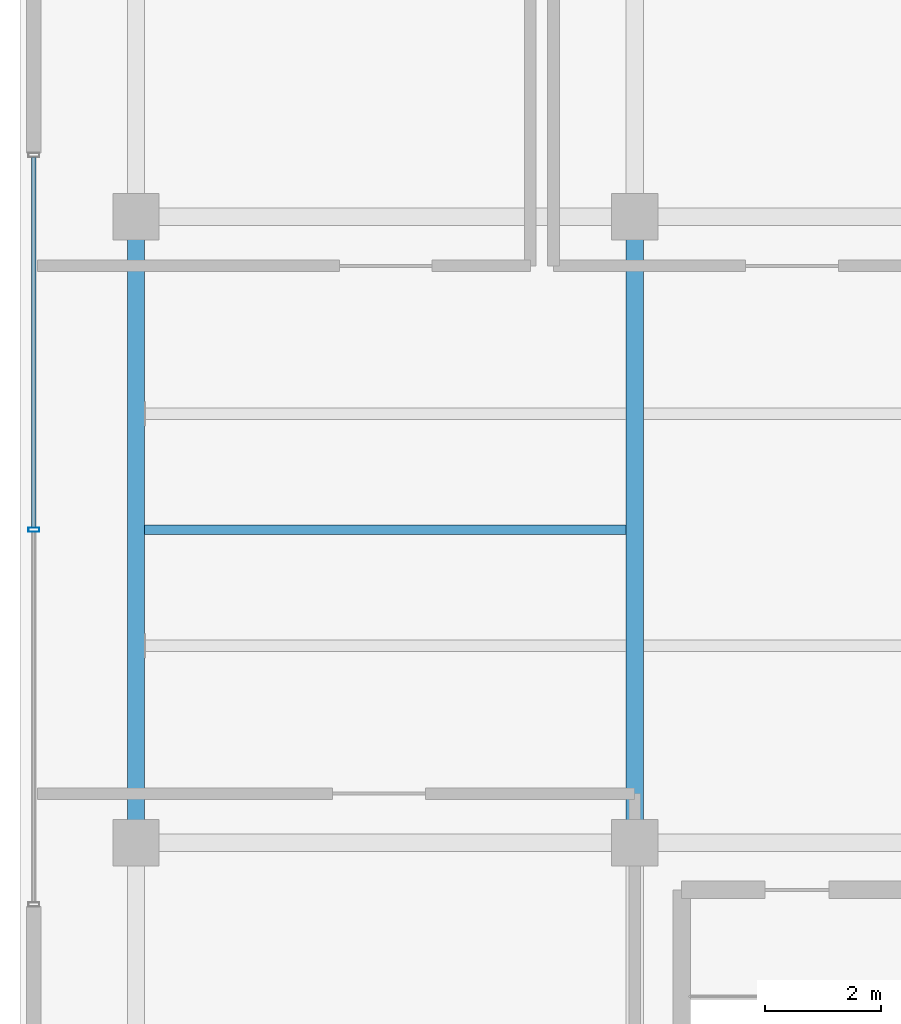
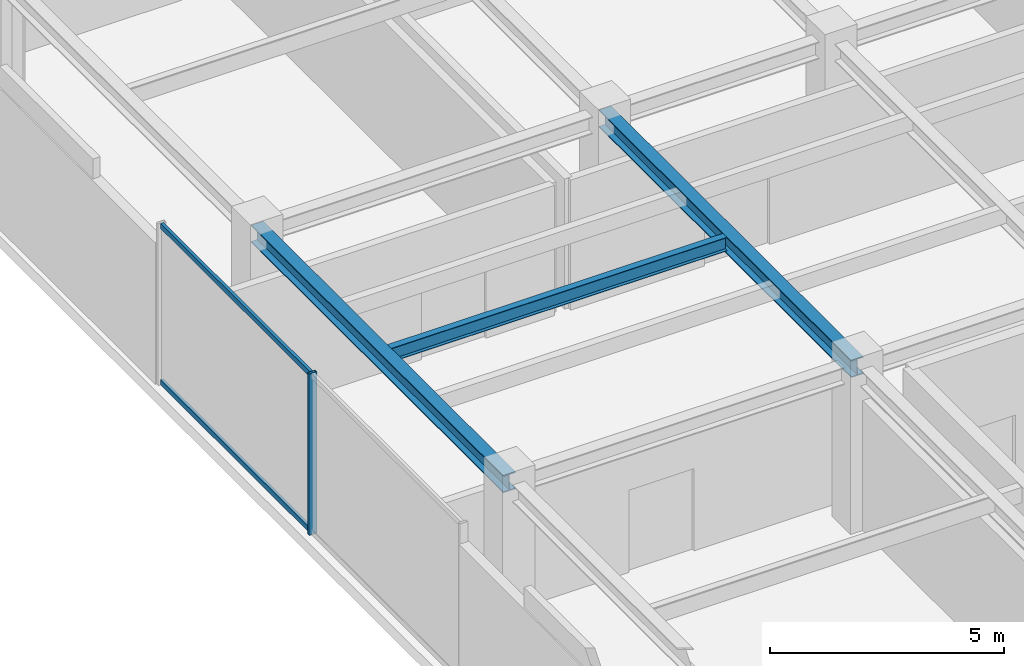
# One storey, part 8 of 21: 3 beams, 3 members, 1 element without a shape of its own.
"""IFC4 building model written with IfcOpenShell, lengths in metres."""

from ifc_helpers import new_model, si_unit, direction, frame, origin, origin_2d, place, context, subcontext, project, spatial, hollow_rectangle, i_section, extrude, source, transform, mapped, material, material_profile, profile_set, type_object, element, aggregate, save


model = new_model("IFC4")

# Units and contexts
model_context = context("Model", 3, precision=1e-05, world=origin(), true_north=direction((0.0, 1.0)))
body_context = subcontext(model_context, "Body", "Model", "MODEL_VIEW")
ifc_project = project(units=[si_unit("LENGTHUNIT", "METRE"), si_unit("AREAUNIT", "SQUARE_METRE"), si_unit("VOLUMEUNIT", "CUBIC_METRE"), si_unit("PLANEANGLEUNIT", "RADIAN"), si_unit("MASSUNIT", "GRAM", prefix="KILO")], contexts=[model_context])

# Site, building, storey
site_placement = place(None, origin())
site = spatial("IfcSite", under=ifc_project, at=site_placement, CompositionType="ELEMENT")
building_placement = place(site_placement, origin())
building = spatial("IfcBuilding", under=site, at=building_placement, Name="Nahalor Promenade Grand Hotel", CompositionType="ELEMENT")
storey_placement = place(building_placement, frame((0.0, 0.0, 370.85009765625)))
storey = spatial("IfcBuildingStorey", under=building, at=storey_placement, Name="L94", CompositionType="ELEMENT", Elevation=370.85009765625)

# Beams
ifc_material_1 = material(Name="Steel S355JR", Category="steel")
ifc_material_profile_1 = material_profile(ifc_material_1, i_section(OverallWidth=0.3, OverallDepth=0.45, WebThickness=0.014, FlangeThickness=0.026, at=origin_2d()), Name="HEB 450")
ifc_profile_set_1 = profile_set([ifc_material_profile_1], Name="Steel S355JR")
beam_type_1 = type_object("IfcBeamType", Name="Beam-Girder-HEB450", PredefinedType="BEAM", material=ifc_profile_set_1)
shared_shape_1 = source(origin(), body_context, "Body", "SweptSolid", [
    extrude(i_section(OverallWidth=0.3, OverallDepth=0.45, WebThickness=0.014, FlangeThickness=0.026, at=origin_2d()), origin(), (0.0, 0.0, 1.0), 10.7998046875),
])
for number, where, z_axis, x_axis, name in (
    (1, (-17.0, -5.39990234375, 3.994873046875), (0.0, 1.0, 0.0), (-1.0, 0.0, 0.0), "BM-L94-GY-0-1"),
    (2, (-8.39990234375, -5.39990234375, 3.994873046875), (0.0, 1.0, 0.0), (-1.0, 0.0, 0.0), "BM-L94-GY-1-1"),
):
    element("IfcBeam", number, at=place(storey_placement, frame(where, z_axis=z_axis, x_axis=x_axis)), inside=storey, type_object=beam_type_1, Name=name, PredefinedType="BEAM", context=body_context, shape_type="MappedRepresentation", body=[
        mapped(shared_shape_1, transform((0.0, 0.0, 0.0), scale=1.0)),
    ])
ifc_material_profile_2 = material_profile(ifc_material_1, i_section(OverallWidth=0.17, OverallDepth=0.36, WebThickness=0.008, FlangeThickness=0.0127, at=origin_2d()), Name="IPE 360")
ifc_profile_set_2 = profile_set([ifc_material_profile_2], Name="Steel S355JR")
beam_type_2 = type_object("IfcBeamType", Name="Beam-Joist-IPE360", PredefinedType="JOIST", material=ifc_profile_set_2)
shared_shape_2 = source(origin(), body_context, "Body", "SweptSolid", [
    extrude(i_section(OverallWidth=0.17, OverallDepth=0.36, WebThickness=0.008, FlangeThickness=0.0127, at=origin_2d()), origin(), (0.0, 0.0, 1.0), 8.300048828125),
])
beam_placement = place(storey_placement, frame((-16.85009765625, 0.0, 4.039794921875), z_axis=(1.0, 0.0, 0.0), x_axis=(0.0, 1.0, 0.0)))
element("IfcBeam", 3, at=beam_placement, inside=storey, type_object=beam_type_2, Name="BM-L94-JSC-0", PredefinedType="JOIST", context=body_context, shape_type="MappedRepresentation", body=[
    mapped(shared_shape_2, transform((0.0, 0.0, 0.0), scale=1.0)),
])

# Curtain wall, members
ifc_material_2 = material(Name="Anodised Bronze Aluminium EN AW-6063 T6", Category="aluminium")
curtain_wall_type = type_object("IfcCurtainWallType", Name="CW6 Crown Botanical Conservatory Curtain Wall", PredefinedType="USERDEFINED", material=ifc_material_2)
curtain_wall_placement = place(storey_placement, origin())
curtain_wall = element("IfcCurtainWall", 4, at=curtain_wall_placement, inside=storey, type_object=curtain_wall_type, Name="L94 Curtain Wall CW-L94-W", ObjectType="UNITISED_CURTAIN_WALL", PredefinedType="USERDEFINED")
ifc_material_profile_3 = material_profile(ifc_material_2, hollow_rectangle(XDim=0.075, YDim=0.135, WallThickness=0.004, at=origin_2d()), Name="CWT 75x135x4")
ifc_profile_set_3 = profile_set([ifc_material_profile_3], Name="Anodised Bronze Aluminium EN AW-6063 T6")
member_type_1 = type_object("IfcMemberType", Name="CWT6 Conservatory Transom 75x135", PredefinedType="USERDEFINED", material=ifc_profile_set_3)
shared_shape_3 = source(origin(), body_context, "Body", "SweptSolid", [
    extrude(hollow_rectangle(XDim=0.075, YDim=0.135, WallThickness=0.004, at=origin_2d()), origin(), (0.0, 0.0, 1.0), 6.387451171875),
])
member_1_placement = place(storey_placement, frame((-18.760009765625, 0.03759765625, 0.0673828125), z_axis=(0.0, 1.0, 0.0), x_axis=(-1.0, 0.0, 0.0)))
member_1 = element("IfcMember", 5, at=member_1_placement, type_object=member_type_1, Name="CW-L94-W Transom 1-0", ObjectType="TRANSOM", PredefinedType="USERDEFINED", context=body_context, shape_type="MappedRepresentation", body=[
    mapped(shared_shape_3, transform((0.0, 0.0, 0.0), scale=1.0)),
])
member_2_placement = place(storey_placement, frame((-18.760009765625, 0.03759765625, 4.15234375), z_axis=(0.0, 1.0, 0.0), x_axis=(-1.0, 0.0, 0.0)))
member_2 = element("IfcMember", 6, at=member_2_placement, type_object=member_type_1, Name="CW-L94-W Transom 1-1", ObjectType="TRANSOM", PredefinedType="USERDEFINED", context=body_context, shape_type="MappedRepresentation", body=[
    mapped(shared_shape_3, transform((0.0, 0.0, 0.0), scale=1.0)),
])
ifc_material_profile_4 = material_profile(ifc_material_2, hollow_rectangle(XDim=0.075, YDim=0.19, WallThickness=0.005, at=origin_2d()), Name="CWM 75x190x5")
ifc_profile_set_4 = profile_set([ifc_material_profile_4], Name="Anodised Bronze Aluminium EN AW-6063 T6")
member_type_2 = type_object("IfcMemberType", Name="CWM6 Conservatory Bronze Mullion 75x190", PredefinedType="MULLION", material=ifc_profile_set_4)
shared_shape_4 = source(origin(), body_context, "Body", "SweptSolid", [
    extrude(hollow_rectangle(XDim=0.075, YDim=0.19, WallThickness=0.005, at=origin_2d()), origin(), (0.0, 0.0, 1.0), 4.219970703125),
])
member_3_placement = place(storey_placement, frame((-18.760009765625, 0.0, 0.0), z_axis=(0.0, 0.0, 1.0), x_axis=(0.0, 1.0, 0.0)))
member_3 = element("IfcMember", 7, at=member_3_placement, type_object=member_type_2, Name="CW-L94-W Mullion 1", PredefinedType="MULLION", context=body_context, shape_type="MappedRepresentation", body=[
    mapped(shared_shape_4, transform((0.0, 0.0, 0.0), scale=1.0)),
])
aggregate(curtain_wall, [member_3, member_1, member_2])

save(model, "model.ifc")
